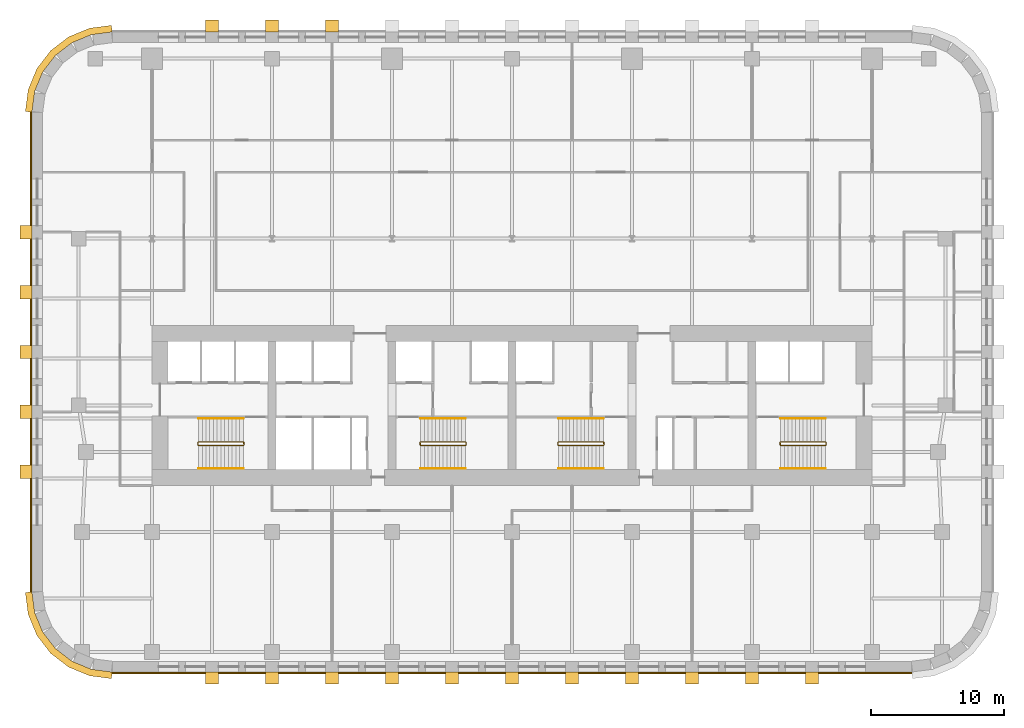
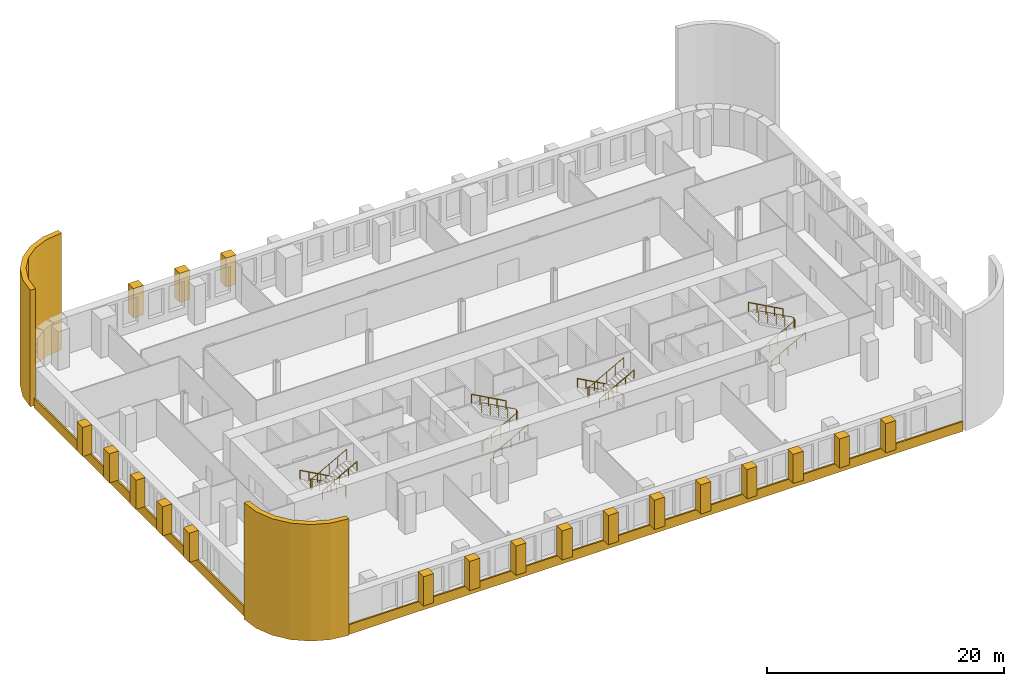
# One storey, part 11 of 12: 23 coverings, 12 railings.
"""IFC4 building model written with IfcOpenShell, lengths in metres."""

from ifc_helpers import new_model, si_unit, direction, frame, origin, origin_2d, place, context, subcontext, project, spatial, polyline, circle, outline, extrude, material, layer, layer_set, type_object, element, save


model = new_model("IFC4")

# Units and contexts
model_context = context("Model", 3, precision=1e-05, world=origin(), true_north=direction((0.0, 1.0)))
body_context = subcontext(model_context, "Body", "Model", "MODEL_VIEW")
ifc_project = project(units=[si_unit("LENGTHUNIT", "METRE"), si_unit("AREAUNIT", "SQUARE_METRE"), si_unit("VOLUMEUNIT", "CUBIC_METRE"), si_unit("PLANEANGLEUNIT", "RADIAN"), si_unit("MASSUNIT", "GRAM", prefix="KILO")], contexts=[model_context])

# Site, building, storey
site_placement = place(None, origin())
site = spatial("IfcSite", under=ifc_project, at=site_placement, CompositionType="ELEMENT")
building_placement = place(site_placement, origin())
building = spatial("IfcBuilding", under=site, at=building_placement, Name="Zellij Exchange Tower", CompositionType="ELEMENT")
storey_placement = place(building_placement, frame((0.0, 0.0, 88.5)))
storey = spatial("IfcBuildingStorey", under=building, at=storey_placement, Name="L18", CompositionType="ELEMENT", Elevation=88.5)

# Railings
ifc_material_1 = material(Name="Stainless steel", Category="steel")
railing_type_1 = type_object("IfcRailingType", Name="CORE-RG stair guard", PredefinedType="GUARDRAIL", material=ifc_material_1)
railing_1_placement = place(storey_placement, frame((-20.10009765625, -10.800048828125, 0.0)))
element("IfcRailing", 1, at=railing_1_placement, inside=storey, type_object=railing_type_1, Name="ST1 stair guard L18", PredefinedType="GUARDRAIL", context=body_context, shape_type="SweptSolid", body=[
    extrude(circle(Radius=0.02392578125, at=origin_2d()), frame((0.0, 0.0, 1.076171875), z_axis=(0.0, -1.0, 0.0), x_axis=(1.0, 0.0, 0.0)), (0.0, 0.0, 1.0), 0.14990234375),
    extrude(circle(Radius=0.02392578125, at=origin_2d()), frame((0.0, -0.14990234375, 1.076171875), z_axis=(-0.193691321961, 0.777613689637, 0.598164376644), x_axis=(-0.970351222016, -0.241699205484, 0.0)), (0.0, 0.0, 1.0), 0.257080078125),
    extrude(circle(Radius=0.02392578125, at=origin_2d()), frame((-0.0498046875, 0.050048828125, 1.22998046875), z_axis=(-0.876421534553, 0.0, 0.481544695509), x_axis=(0.0, -1.0, 0.0)), (0.0, 0.0, 1.0), 3.833984375),
    extrude(circle(Radius=0.02392578125, at=origin_2d()), frame((-3.409912109375, 0.050048828125, 3.076171875), z_axis=(-0.707106781187, -0.707106781187, 0.0), x_axis=(0.707106781187, -0.707106781187, 0.0)), (0.0, 0.0, 1.0), 0.07080078125),
    extrude(circle(Radius=0.02392578125, at=origin_2d()), frame((-3.4599609375, 0.0, 3.076171875), z_axis=(0.0, -1.0, 0.0), x_axis=(1.0, 0.0, 0.0)), (0.0, 0.0, 1.0), 0.14990234375),
    extrude(circle(Radius=0.02392578125, at=origin_2d()), frame((-3.4599609375, -0.14990234375, 3.076171875), z_axis=(0.295599637079, -0.295599637079, 0.908428152975), x_axis=(0.707106781187, 0.707106781187, 0.0)), (0.0, 0.0, 1.0), 0.16943359375),
    extrude(circle(Radius=0.02392578125, at=origin_2d()), frame((-3.409912109375, -0.199951171875, 3.22998046875), z_axis=(0.876421534553, 0.0, 0.481544695509), x_axis=(0.0, 1.0, 0.0)), (0.0, 0.0, 1.0), 3.833984375),
    extrude(circle(Radius=0.02099609375, at=origin_2d()), origin(), (0.0, 0.0, 1.0), 1.052001953125),
    extrude(circle(Radius=0.02099609375, at=origin_2d()), frame((0.0, -0.14990234375, 0.0)), (0.0, 0.0, 1.0), 1.052001953125),
    extrude(circle(Radius=0.02099609375, at=origin_2d()), frame((-0.0498046875, 0.050048828125, 0.15380859375)), (0.0, 0.0, 1.0), 1.052001953125),
    extrude(circle(Radius=0.02099609375, at=origin_2d()), frame((-0.889892578125, 0.050048828125, 0.615234375)), (0.0, 0.0, 1.0), 1.052001953125),
    extrude(circle(Radius=0.02099609375, at=origin_2d()), frame((-1.72998046875, 0.050048828125, 1.076904296875)), (0.0, 0.0, 1.0), 1.052001953125),
    extrude(circle(Radius=0.02099609375, at=origin_2d()), frame((-2.56982421875, 0.050048828125, 1.53857421875)), (0.0, 0.0, 1.0), 1.052001953125),
    extrude(circle(Radius=0.02099609375, at=origin_2d()), frame((-3.409912109375, 0.050048828125, 2.0)), (0.0, 0.0, 1.0), 1.052001953125),
    extrude(circle(Radius=0.02099609375, at=origin_2d()), frame((-3.4599609375, 0.0, 2.0)), (0.0, 0.0, 1.0), 1.052001953125),
    extrude(circle(Radius=0.02099609375, at=origin_2d()), frame((-3.4599609375, -0.14990234375, 2.0)), (0.0, 0.0, 1.0), 1.052001953125),
    extrude(circle(Radius=0.02099609375, at=origin_2d()), frame((-3.409912109375, -0.199951171875, 2.15380859375)), (0.0, 0.0, 1.0), 1.052001953125),
    extrude(circle(Radius=0.02099609375, at=origin_2d()), frame((-2.56982421875, -0.199951171875, 2.615234375)), (0.0, 0.0, 1.0), 1.052001953125),
    extrude(circle(Radius=0.02099609375, at=origin_2d()), frame((-1.72998046875, -0.199951171875, 3.076904296875)), (0.0, 0.0, 1.0), 1.052001953125),
    extrude(circle(Radius=0.02099609375, at=origin_2d()), frame((-0.889892578125, -0.199951171875, 3.53857421875)), (0.0, 0.0, 1.0), 1.052001953125),
    extrude(circle(Radius=0.02099609375, at=origin_2d()), frame((-0.0498046875, -0.199951171875, 4.0)), (0.0, 0.0, 1.0), 1.052001953125),
])
railing_2_placement = place(storey_placement, frame((-6.89990234375, -10.949951171875, 0.0)))
element("IfcRailing", 2, at=railing_2_placement, inside=storey, type_object=railing_type_1, Name="ST2 stair guard L18", PredefinedType="GUARDRAIL", context=body_context, shape_type="SweptSolid", body=[
    extrude(circle(Radius=0.02392578125, at=origin_2d()), frame((0.0, 0.0, 1.076171875), z_axis=(0.0, 1.0, 0.0), x_axis=(-1.0, 0.0, 0.0)), (0.0, 0.0, 1.0), 0.14990234375),
    extrude(circle(Radius=0.02392578125, at=origin_2d()), frame((0.0, 0.14990234375, 1.076171875), z_axis=(0.193691321961, -0.777613689637, 0.598164376644), x_axis=(0.970351222016, 0.241699205484, 0.0)), (0.0, 0.0, 1.0), 0.257080078125),
    extrude(circle(Radius=0.02392578125, at=origin_2d()), frame((0.0498046875, -0.050048828125, 1.22998046875), z_axis=(0.876421534553, 0.0, 0.481544695509), x_axis=(0.0, 1.0, 0.0)), (0.0, 0.0, 1.0), 3.833984375),
    extrude(circle(Radius=0.02392578125, at=origin_2d()), frame((3.409912109375, -0.050048828125, 3.076171875), z_axis=(0.707106781187, 0.707106781187, 0.0), x_axis=(-0.707106781187, 0.707106781187, 0.0)), (0.0, 0.0, 1.0), 0.07080078125),
    extrude(circle(Radius=0.02392578125, at=origin_2d()), frame((3.4599609375, 0.0, 3.076171875), z_axis=(0.0, 1.0, 0.0), x_axis=(-1.0, 0.0, 0.0)), (0.0, 0.0, 1.0), 0.14990234375),
    extrude(circle(Radius=0.02392578125, at=origin_2d()), frame((3.4599609375, 0.14990234375, 3.076171875), z_axis=(-0.295599637079, 0.295599637079, 0.908428152975), x_axis=(-0.707106781187, -0.707106781187, 0.0)), (0.0, 0.0, 1.0), 0.16943359375),
    extrude(circle(Radius=0.02392578125, at=origin_2d()), frame((3.409912109375, 0.199951171875, 3.22998046875), z_axis=(-0.876421534553, 0.0, 0.481544695509), x_axis=(0.0, -1.0, 0.0)), (0.0, 0.0, 1.0), 3.833984375),
    extrude(circle(Radius=0.02099609375, at=origin_2d()), origin(), (0.0, 0.0, 1.0), 1.052001953125),
    extrude(circle(Radius=0.02099609375, at=origin_2d()), frame((0.0, 0.14990234375, 0.0)), (0.0, 0.0, 1.0), 1.052001953125),
    extrude(circle(Radius=0.02099609375, at=origin_2d()), frame((0.0498046875, -0.050048828125, 0.15380859375)), (0.0, 0.0, 1.0), 1.052001953125),
    extrude(circle(Radius=0.02099609375, at=origin_2d()), frame((0.889892578125, -0.050048828125, 0.615234375)), (0.0, 0.0, 1.0), 1.052001953125),
    extrude(circle(Radius=0.02099609375, at=origin_2d()), frame((1.72998046875, -0.050048828125, 1.076904296875)), (0.0, 0.0, 1.0), 1.052001953125),
    extrude(circle(Radius=0.02099609375, at=origin_2d()), frame((2.56982421875, -0.050048828125, 1.53857421875)), (0.0, 0.0, 1.0), 1.052001953125),
    extrude(circle(Radius=0.02099609375, at=origin_2d()), frame((3.409912109375, -0.050048828125, 2.0)), (0.0, 0.0, 1.0), 1.052001953125),
    extrude(circle(Radius=0.02099609375, at=origin_2d()), frame((3.4599609375, 0.0, 2.0)), (0.0, 0.0, 1.0), 1.052001953125),
    extrude(circle(Radius=0.02099609375, at=origin_2d()), frame((3.4599609375, 0.14990234375, 2.0)), (0.0, 0.0, 1.0), 1.052001953125),
    extrude(circle(Radius=0.02099609375, at=origin_2d()), frame((3.409912109375, 0.199951171875, 2.15380859375)), (0.0, 0.0, 1.0), 1.052001953125),
    extrude(circle(Radius=0.02099609375, at=origin_2d()), frame((2.56982421875, 0.199951171875, 2.615234375)), (0.0, 0.0, 1.0), 1.052001953125),
    extrude(circle(Radius=0.02099609375, at=origin_2d()), frame((1.72998046875, 0.199951171875, 3.076904296875)), (0.0, 0.0, 1.0), 1.052001953125),
    extrude(circle(Radius=0.02099609375, at=origin_2d()), frame((0.889892578125, 0.199951171875, 3.53857421875)), (0.0, 0.0, 1.0), 1.052001953125),
    extrude(circle(Radius=0.02099609375, at=origin_2d()), frame((0.0498046875, 0.199951171875, 4.0)), (0.0, 0.0, 1.0), 1.052001953125),
])
railing_3_placement = place(storey_placement, frame((6.89990234375, -10.800048828125, 0.0)))
element("IfcRailing", 3, at=railing_3_placement, inside=storey, type_object=railing_type_1, Name="ST3 stair guard L18", PredefinedType="GUARDRAIL", context=body_context, shape_type="SweptSolid", body=[
    extrude(circle(Radius=0.02392578125, at=origin_2d()), frame((0.0, 0.0, 1.076171875), z_axis=(0.0, -1.0, 0.0), x_axis=(1.0, 0.0, 0.0)), (0.0, 0.0, 1.0), 0.14990234375),
    extrude(circle(Radius=0.02392578125, at=origin_2d()), frame((0.0, -0.14990234375, 1.076171875), z_axis=(-0.193691321961, 0.777613689637, 0.598164376644), x_axis=(-0.970351222016, -0.241699205484, 0.0)), (0.0, 0.0, 1.0), 0.257080078125),
    extrude(circle(Radius=0.02392578125, at=origin_2d()), frame((-0.0498046875, 0.050048828125, 1.22998046875), z_axis=(-0.876421534553, 0.0, 0.481544695509), x_axis=(0.0, -1.0, 0.0)), (0.0, 0.0, 1.0), 3.833984375),
    extrude(circle(Radius=0.02392578125, at=origin_2d()), frame((-3.409912109375, 0.050048828125, 3.076171875), z_axis=(-0.707106781187, -0.707106781187, 0.0), x_axis=(0.707106781187, -0.707106781187, 0.0)), (0.0, 0.0, 1.0), 0.07080078125),
    extrude(circle(Radius=0.02392578125, at=origin_2d()), frame((-3.4599609375, 0.0, 3.076171875), z_axis=(0.0, -1.0, 0.0), x_axis=(1.0, 0.0, 0.0)), (0.0, 0.0, 1.0), 0.14990234375),
    extrude(circle(Radius=0.02392578125, at=origin_2d()), frame((-3.4599609375, -0.14990234375, 3.076171875), z_axis=(0.295599637079, -0.295599637079, 0.908428152975), x_axis=(0.707106781187, 0.707106781187, 0.0)), (0.0, 0.0, 1.0), 0.16943359375),
    extrude(circle(Radius=0.02392578125, at=origin_2d()), frame((-3.409912109375, -0.199951171875, 3.22998046875), z_axis=(0.876421534553, 0.0, 0.481544695509), x_axis=(0.0, 1.0, 0.0)), (0.0, 0.0, 1.0), 3.833984375),
    extrude(circle(Radius=0.02099609375, at=origin_2d()), origin(), (0.0, 0.0, 1.0), 1.052001953125),
    extrude(circle(Radius=0.02099609375, at=origin_2d()), frame((0.0, -0.14990234375, 0.0)), (0.0, 0.0, 1.0), 1.052001953125),
    extrude(circle(Radius=0.02099609375, at=origin_2d()), frame((-0.0498046875, 0.050048828125, 0.15380859375)), (0.0, 0.0, 1.0), 1.052001953125),
    extrude(circle(Radius=0.02099609375, at=origin_2d()), frame((-0.889892578125, 0.050048828125, 0.615234375)), (0.0, 0.0, 1.0), 1.052001953125),
    extrude(circle(Radius=0.02099609375, at=origin_2d()), frame((-1.72998046875, 0.050048828125, 1.076904296875)), (0.0, 0.0, 1.0), 1.052001953125),
    extrude(circle(Radius=0.02099609375, at=origin_2d()), frame((-2.56982421875, 0.050048828125, 1.53857421875)), (0.0, 0.0, 1.0), 1.052001953125),
    extrude(circle(Radius=0.02099609375, at=origin_2d()), frame((-3.409912109375, 0.050048828125, 2.0)), (0.0, 0.0, 1.0), 1.052001953125),
    extrude(circle(Radius=0.02099609375, at=origin_2d()), frame((-3.4599609375, 0.0, 2.0)), (0.0, 0.0, 1.0), 1.052001953125),
    extrude(circle(Radius=0.02099609375, at=origin_2d()), frame((-3.4599609375, -0.14990234375, 2.0)), (0.0, 0.0, 1.0), 1.052001953125),
    extrude(circle(Radius=0.02099609375, at=origin_2d()), frame((-3.409912109375, -0.199951171875, 2.15380859375)), (0.0, 0.0, 1.0), 1.052001953125),
    extrude(circle(Radius=0.02099609375, at=origin_2d()), frame((-2.56982421875, -0.199951171875, 2.615234375)), (0.0, 0.0, 1.0), 1.052001953125),
    extrude(circle(Radius=0.02099609375, at=origin_2d()), frame((-1.72998046875, -0.199951171875, 3.076904296875)), (0.0, 0.0, 1.0), 1.052001953125),
    extrude(circle(Radius=0.02099609375, at=origin_2d()), frame((-0.889892578125, -0.199951171875, 3.53857421875)), (0.0, 0.0, 1.0), 1.052001953125),
    extrude(circle(Radius=0.02099609375, at=origin_2d()), frame((-0.0498046875, -0.199951171875, 4.0)), (0.0, 0.0, 1.0), 1.052001953125),
])
railing_4_placement = place(storey_placement, frame((20.10009765625, -10.949951171875, 0.0)))
element("IfcRailing", 4, at=railing_4_placement, inside=storey, type_object=railing_type_1, Name="ST4 stair guard L18", PredefinedType="GUARDRAIL", context=body_context, shape_type="SweptSolid", body=[
    extrude(circle(Radius=0.02392578125, at=origin_2d()), frame((0.0, 0.0, 1.076171875), z_axis=(0.0, 1.0, 0.0), x_axis=(-1.0, 0.0, 0.0)), (0.0, 0.0, 1.0), 0.14990234375),
    extrude(circle(Radius=0.02392578125, at=origin_2d()), frame((0.0, 0.14990234375, 1.076171875), z_axis=(0.193691321961, -0.777613689637, 0.598164376644), x_axis=(0.970351222016, 0.241699205484, 0.0)), (0.0, 0.0, 1.0), 0.257080078125),
    extrude(circle(Radius=0.02392578125, at=origin_2d()), frame((0.0498046875, -0.050048828125, 1.22998046875), z_axis=(0.876421534553, 0.0, 0.481544695509), x_axis=(0.0, 1.0, 0.0)), (0.0, 0.0, 1.0), 3.833984375),
    extrude(circle(Radius=0.02392578125, at=origin_2d()), frame((3.409912109375, -0.050048828125, 3.076171875), z_axis=(0.707106781187, 0.707106781187, 0.0), x_axis=(-0.707106781187, 0.707106781187, 0.0)), (0.0, 0.0, 1.0), 0.07080078125),
    extrude(circle(Radius=0.02392578125, at=origin_2d()), frame((3.4599609375, 0.0, 3.076171875), z_axis=(0.0, 1.0, 0.0), x_axis=(-1.0, 0.0, 0.0)), (0.0, 0.0, 1.0), 0.14990234375),
    extrude(circle(Radius=0.02392578125, at=origin_2d()), frame((3.4599609375, 0.14990234375, 3.076171875), z_axis=(-0.295599637079, 0.295599637079, 0.908428152975), x_axis=(-0.707106781187, -0.707106781187, 0.0)), (0.0, 0.0, 1.0), 0.16943359375),
    extrude(circle(Radius=0.02392578125, at=origin_2d()), frame((3.409912109375, 0.199951171875, 3.22998046875), z_axis=(-0.876421534553, 0.0, 0.481544695509), x_axis=(0.0, -1.0, 0.0)), (0.0, 0.0, 1.0), 3.833984375),
    extrude(circle(Radius=0.02099609375, at=origin_2d()), origin(), (0.0, 0.0, 1.0), 1.052001953125),
    extrude(circle(Radius=0.02099609375, at=origin_2d()), frame((0.0, 0.14990234375, 0.0)), (0.0, 0.0, 1.0), 1.052001953125),
    extrude(circle(Radius=0.02099609375, at=origin_2d()), frame((0.0498046875, -0.050048828125, 0.15380859375)), (0.0, 0.0, 1.0), 1.052001953125),
    extrude(circle(Radius=0.02099609375, at=origin_2d()), frame((0.889892578125, -0.050048828125, 0.615234375)), (0.0, 0.0, 1.0), 1.052001953125),
    extrude(circle(Radius=0.02099609375, at=origin_2d()), frame((1.72998046875, -0.050048828125, 1.076904296875)), (0.0, 0.0, 1.0), 1.052001953125),
    extrude(circle(Radius=0.02099609375, at=origin_2d()), frame((2.56982421875, -0.050048828125, 1.53857421875)), (0.0, 0.0, 1.0), 1.052001953125),
    extrude(circle(Radius=0.02099609375, at=origin_2d()), frame((3.409912109375, -0.050048828125, 2.0)), (0.0, 0.0, 1.0), 1.052001953125),
    extrude(circle(Radius=0.02099609375, at=origin_2d()), frame((3.4599609375, 0.0, 2.0)), (0.0, 0.0, 1.0), 1.052001953125),
    extrude(circle(Radius=0.02099609375, at=origin_2d()), frame((3.4599609375, 0.14990234375, 2.0)), (0.0, 0.0, 1.0), 1.052001953125),
    extrude(circle(Radius=0.02099609375, at=origin_2d()), frame((3.409912109375, 0.199951171875, 2.15380859375)), (0.0, 0.0, 1.0), 1.052001953125),
    extrude(circle(Radius=0.02099609375, at=origin_2d()), frame((2.56982421875, 0.199951171875, 2.615234375)), (0.0, 0.0, 1.0), 1.052001953125),
    extrude(circle(Radius=0.02099609375, at=origin_2d()), frame((1.72998046875, 0.199951171875, 3.076904296875)), (0.0, 0.0, 1.0), 1.052001953125),
    extrude(circle(Radius=0.02099609375, at=origin_2d()), frame((0.889892578125, 0.199951171875, 3.53857421875)), (0.0, 0.0, 1.0), 1.052001953125),
    extrude(circle(Radius=0.02099609375, at=origin_2d()), frame((0.0498046875, 0.199951171875, 4.0)), (0.0, 0.0, 1.0), 1.052001953125),
])
railing_type_2 = type_object("IfcRailingType", Name="CORE-RH stair handrail", PredefinedType="HANDRAIL", material=ifc_material_1)
railing_5_placement = place(storey_placement, frame((-20.14990234375, -9.0, 0.15380859375)))
element("IfcRailing", 5, at=railing_5_placement, inside=storey, type_object=railing_type_2, Name="ST1 stair handrail L18", PredefinedType="HANDRAIL", context=body_context, shape_type="SweptSolid", body=[
    extrude(circle(Radius=0.02392578125, at=origin_2d()), frame((0.0, 0.0, 0.8759765625), z_axis=(-0.876421534553, 0.0, 0.481544695509), x_axis=(0.0, -1.0, 0.0)), (0.0, 0.0, 1.0), 3.833984375),
    extrude(circle(Radius=0.02099609375, at=origin_2d()), origin(), (0.0, 0.0, 1.0), 0.851806640625),
    extrude(circle(Radius=0.02099609375, at=origin_2d()), frame((-0.840087890625, 0.0, 0.46142578125)), (0.0, 0.0, 1.0), 0.851806640625),
    extrude(circle(Radius=0.02099609375, at=origin_2d()), frame((-1.68017578125, 0.0, 0.923095703125)), (0.0, 0.0, 1.0), 0.851806640625),
    extrude(circle(Radius=0.02099609375, at=origin_2d()), frame((-2.52001953125, 0.0, 1.384765625)), (0.0, 0.0, 1.0), 0.851806640625),
    extrude(circle(Radius=0.02099609375, at=origin_2d()), frame((-3.360107421875, 0.0, 1.84619140625)), (0.0, 0.0, 1.0), 0.851806640625),
])
for number, where, name in (
    (6, (-23.510009765625, -12.75, 2.15380859375), "ST1 stair handrail L18"),
    (7, (-6.85009765625, -12.75, 0.15380859375), "ST2 stair handrail L18"),
):
    element("IfcRailing", number, at=place(storey_placement, frame(where)), inside=storey, type_object=railing_type_2, Name=name, PredefinedType="HANDRAIL", context=body_context, shape_type="SweptSolid", body=[
        extrude(circle(Radius=0.02392578125, at=origin_2d()), frame((0.0, 0.0, 0.8759765625), z_axis=(0.876421534553, 0.0, 0.481544695509), x_axis=(0.0, 1.0, 0.0)), (0.0, 0.0, 1.0), 3.833984375),
        extrude(circle(Radius=0.02099609375, at=origin_2d()), origin(), (0.0, 0.0, 1.0), 0.851806640625),
        extrude(circle(Radius=0.02099609375, at=origin_2d()), frame((0.840087890625, 0.0, 0.46142578125)), (0.0, 0.0, 1.0), 0.851806640625),
        extrude(circle(Radius=0.02099609375, at=origin_2d()), frame((1.68017578125, 0.0, 0.923095703125)), (0.0, 0.0, 1.0), 0.851806640625),
        extrude(circle(Radius=0.02099609375, at=origin_2d()), frame((2.52001953125, 0.0, 1.384765625)), (0.0, 0.0, 1.0), 0.851806640625),
        extrude(circle(Radius=0.02099609375, at=origin_2d()), frame((3.360107421875, 0.0, 1.84619140625)), (0.0, 0.0, 1.0), 0.851806640625),
    ])
for number, where, name in (
    (8, (-3.489990234375, -9.0, 2.15380859375), "ST2 stair handrail L18"),
    (9, (6.85009765625, -9.0, 0.15380859375), "ST3 stair handrail L18"),
):
    element("IfcRailing", number, at=place(storey_placement, frame(where)), inside=storey, type_object=railing_type_2, Name=name, PredefinedType="HANDRAIL", context=body_context, shape_type="SweptSolid", body=[
        extrude(circle(Radius=0.02392578125, at=origin_2d()), frame((0.0, 0.0, 0.8759765625), z_axis=(-0.876421534553, 0.0, 0.481544695509), x_axis=(0.0, -1.0, 0.0)), (0.0, 0.0, 1.0), 3.833984375),
        extrude(circle(Radius=0.02099609375, at=origin_2d()), origin(), (0.0, 0.0, 1.0), 0.851806640625),
        extrude(circle(Radius=0.02099609375, at=origin_2d()), frame((-0.840087890625, 0.0, 0.46142578125)), (0.0, 0.0, 1.0), 0.851806640625),
        extrude(circle(Radius=0.02099609375, at=origin_2d()), frame((-1.68017578125, 0.0, 0.923095703125)), (0.0, 0.0, 1.0), 0.851806640625),
        extrude(circle(Radius=0.02099609375, at=origin_2d()), frame((-2.52001953125, 0.0, 1.384765625)), (0.0, 0.0, 1.0), 0.851806640625),
        extrude(circle(Radius=0.02099609375, at=origin_2d()), frame((-3.360107421875, 0.0, 1.84619140625)), (0.0, 0.0, 1.0), 0.851806640625),
    ])
for number, where, name in (
    (10, (3.489990234375, -12.75, 2.15380859375), "ST3 stair handrail L18"),
    (11, (20.14990234375, -12.75, 0.15380859375), "ST4 stair handrail L18"),
):
    element("IfcRailing", number, at=place(storey_placement, frame(where)), inside=storey, type_object=railing_type_2, Name=name, PredefinedType="HANDRAIL", context=body_context, shape_type="SweptSolid", body=[
        extrude(circle(Radius=0.02392578125, at=origin_2d()), frame((0.0, 0.0, 0.8759765625), z_axis=(0.876421534553, 0.0, 0.481544695509), x_axis=(0.0, 1.0, 0.0)), (0.0, 0.0, 1.0), 3.833984375),
        extrude(circle(Radius=0.02099609375, at=origin_2d()), origin(), (0.0, 0.0, 1.0), 0.851806640625),
        extrude(circle(Radius=0.02099609375, at=origin_2d()), frame((0.840087890625, 0.0, 0.46142578125)), (0.0, 0.0, 1.0), 0.851806640625),
        extrude(circle(Radius=0.02099609375, at=origin_2d()), frame((1.68017578125, 0.0, 0.923095703125)), (0.0, 0.0, 1.0), 0.851806640625),
        extrude(circle(Radius=0.02099609375, at=origin_2d()), frame((2.52001953125, 0.0, 1.384765625)), (0.0, 0.0, 1.0), 0.851806640625),
        extrude(circle(Radius=0.02099609375, at=origin_2d()), frame((3.360107421875, 0.0, 1.84619140625)), (0.0, 0.0, 1.0), 0.851806640625),
    ])
railing_6_placement = place(storey_placement, frame((23.510009765625, -9.0, 2.15380859375)))
element("IfcRailing", 12, at=railing_6_placement, inside=storey, type_object=railing_type_2, Name="ST4 stair handrail L18", PredefinedType="HANDRAIL", context=body_context, shape_type="SweptSolid", body=[
    extrude(circle(Radius=0.02392578125, at=origin_2d()), frame((0.0, 0.0, 0.8759765625), z_axis=(-0.876421534553, 0.0, 0.481544695509), x_axis=(0.0, -1.0, 0.0)), (0.0, 0.0, 1.0), 3.833984375),
    extrude(circle(Radius=0.02099609375, at=origin_2d()), origin(), (0.0, 0.0, 1.0), 0.851806640625),
    extrude(circle(Radius=0.02099609375, at=origin_2d()), frame((-0.840087890625, 0.0, 0.46142578125)), (0.0, 0.0, 1.0), 0.851806640625),
    extrude(circle(Radius=0.02099609375, at=origin_2d()), frame((-1.68017578125, 0.0, 0.923095703125)), (0.0, 0.0, 1.0), 0.851806640625),
    extrude(circle(Radius=0.02099609375, at=origin_2d()), frame((-2.52001953125, 0.0, 1.384765625)), (0.0, 0.0, 1.0), 0.851806640625),
    extrude(circle(Radius=0.02099609375, at=origin_2d()), frame((-3.360107421875, 0.0, 1.84619140625)), (0.0, 0.0, 1.0), 0.851806640625),
])

# Coverings
ifc_material_2 = material(Name="Limestone cladding", Category="masonry")
ifc_layer_1 = layer(ifc_material_2, 0.14990234375)
ifc_layer_set_1 = layer_set([ifc_layer_1], Name="Limestone cladding")
covering_type_1 = type_object("IfcCoveringType", Name="ENV-CV1 Stone spandrel band 150", PredefinedType="CLADDING", material=ifc_layer_set_1)
covering_1_placement = place(storey_placement, frame((0.0, 0.0, -0.199951171875)))
element("IfcCovering", 13, at=covering_1_placement, inside=storey, type_object=covering_type_1, Name="Stone spandrel band", PredefinedType="CLADDING", context=body_context, shape_type="SweptSolid", body=[
    extrude(outline(polyline([(-29.973876953125, -28.0), (29.973876953125, -28.0), (29.983642578125, -28.14990234375), (-29.983642578125, -28.14990234375), (-29.973876953125, -28.0)])), origin(), (0.0, 0.0, 1.0), 1.0),
])
covering_2_placement = place(storey_placement, frame((0.0, 0.0, -0.199951171875)))
element("IfcCovering", 14, at=covering_2_placement, inside=storey, type_object=covering_type_1, Name="Stone spandrel band", PredefinedType="CLADDING", context=body_context, shape_type="SweptSolid", body=[
    extrude(outline(polyline([(-36.0, 13.973876953125), (-36.0, -21.973876953125), (-36.14990234375, -21.983642578125), (-36.14990234375, 13.983642578125), (-36.0, 13.973876953125)])), origin(), (0.0, 0.0, 1.0), 1.0),
])
ifc_layer_2 = layer(ifc_material_2, 0.5)
ifc_layer_set_2 = layer_set([ifc_layer_2], Name="Limestone cladding")
covering_type_2 = type_object("IfcCoveringType", Name="ENV-CV12 Stone corner pier 500", PredefinedType="CLADDING", material=ifc_layer_set_2)
covering_3_placement = place(storey_placement, origin())
element("IfcCovering", 15, at=covering_3_placement, inside=storey, type_object=covering_type_2, Name="Stone corner pier", PredefinedType="CLADDING", context=body_context, shape_type="SweptSolid", body=[
    extrude(outline(polyline([(-30.0, 20.0), (-31.552978515625, 19.795654296875), (-33.0, 19.1962890625), (-34.24267578125, 18.24267578125), (-35.1962890625, 17.0), (-35.795654296875, 15.552978515625), (-36.0, 14.0), (-36.5, 14.03271484375), (-36.28271484375, 15.683349609375), (-35.6328125, 17.252197265625), (-34.59912109375, 18.59912109375), (-33.252197265625, 19.6328125), (-31.683349609375, 20.28271484375), (-30.03271484375, 20.5), (-30.0, 20.0)])), origin(), (0.0, 0.0, 1.0), 12.0),
])
covering_4_placement = place(storey_placement, origin())
element("IfcCovering", 16, at=covering_4_placement, inside=storey, type_object=covering_type_2, Name="Stone corner pier", PredefinedType="CLADDING", context=body_context, shape_type="SweptSolid", body=[
    extrude(outline(polyline([(-36.0, -22.0), (-35.795654296875, -23.552978515625), (-35.1962890625, -25.0), (-34.24267578125, -26.24267578125), (-33.0, -27.1962890625), (-31.552978515625, -27.795654296875), (-30.0, -28.0), (-30.03271484375, -28.5), (-31.683349609375, -28.28271484375), (-33.252197265625, -27.6328125), (-34.59912109375, -26.59912109375), (-35.6328125, -25.252197265625), (-36.28271484375, -23.683349609375), (-36.5, -22.03271484375), (-36.0, -22.0)])), origin(), (0.0, 0.0, 1.0), 12.0),
])
covering_type_3 = type_object("IfcCoveringType", Name="ENV-CV2 Stone pier 1000x900", PredefinedType="CLADDING", material=ifc_material_2)
covering_5_placement = place(storey_placement, frame((0.0, 0.0, 0.800048828125)))
element("IfcCovering", 17, at=covering_5_placement, inside=storey, type_object=covering_type_3, Name="Stone pier", PredefinedType="CLADDING", context=body_context, shape_type="SweptSolid", body=[
    extrude(outline(polyline([(-23.0, -28.0), (-22.0, -28.0), (-22.0, -28.89990234375), (-23.0, -28.89990234375), (-23.0, -28.0)])), origin(), (0.0, 0.0, 1.0), 3.0),
])
covering_6_placement = place(storey_placement, frame((0.0, 0.0, 0.800048828125)))
element("IfcCovering", 18, at=covering_6_placement, inside=storey, type_object=covering_type_3, Name="Stone pier", PredefinedType="CLADDING", context=body_context, shape_type="SweptSolid", body=[
    extrude(outline(polyline([(-18.5, -28.0), (-17.5, -28.0), (-17.5, -28.89990234375), (-18.5, -28.89990234375), (-18.5, -28.0)])), origin(), (0.0, 0.0, 1.0), 3.0),
])
covering_7_placement = place(storey_placement, frame((0.0, 0.0, 0.800048828125)))
element("IfcCovering", 19, at=covering_7_placement, inside=storey, type_object=covering_type_3, Name="Stone pier", PredefinedType="CLADDING", context=body_context, shape_type="SweptSolid", body=[
    extrude(outline(polyline([(-14.0, -28.0), (-13.0, -28.0), (-13.0, -28.89990234375), (-14.0, -28.89990234375), (-14.0, -28.0)])), origin(), (0.0, 0.0, 1.0), 3.0),
])
covering_8_placement = place(storey_placement, frame((0.0, 0.0, 0.800048828125)))
element("IfcCovering", 20, at=covering_8_placement, inside=storey, type_object=covering_type_3, Name="Stone pier", PredefinedType="CLADDING", context=body_context, shape_type="SweptSolid", body=[
    extrude(outline(polyline([(-9.5, -28.0), (-8.5, -28.0), (-8.5, -28.89990234375), (-9.5, -28.89990234375), (-9.5, -28.0)])), origin(), (0.0, 0.0, 1.0), 3.0),
])
covering_9_placement = place(storey_placement, frame((0.0, 0.0, 0.800048828125)))
element("IfcCovering", 21, at=covering_9_placement, inside=storey, type_object=covering_type_3, Name="Stone pier", PredefinedType="CLADDING", context=body_context, shape_type="SweptSolid", body=[
    extrude(outline(polyline([(-5.0, -28.0), (-4.0, -28.0), (-4.0, -28.89990234375), (-5.0, -28.89990234375), (-5.0, -28.0)])), origin(), (0.0, 0.0, 1.0), 3.0),
])
covering_10_placement = place(storey_placement, frame((0.0, 0.0, 0.800048828125)))
element("IfcCovering", 22, at=covering_10_placement, inside=storey, type_object=covering_type_3, Name="Stone pier", PredefinedType="CLADDING", context=body_context, shape_type="SweptSolid", body=[
    extrude(outline(polyline([(-0.5, -28.0), (0.5, -28.0), (0.5, -28.89990234375), (-0.5, -28.89990234375), (-0.5, -28.0)])), origin(), (0.0, 0.0, 1.0), 3.0),
])
covering_11_placement = place(storey_placement, frame((0.0, 0.0, 0.800048828125)))
element("IfcCovering", 23, at=covering_11_placement, inside=storey, type_object=covering_type_3, Name="Stone pier", PredefinedType="CLADDING", context=body_context, shape_type="SweptSolid", body=[
    extrude(outline(polyline([(4.0, -28.0), (5.0, -28.0), (5.0, -28.89990234375), (4.0, -28.89990234375), (4.0, -28.0)])), origin(), (0.0, 0.0, 1.0), 3.0),
])
covering_12_placement = place(storey_placement, frame((0.0, 0.0, 0.800048828125)))
element("IfcCovering", 24, at=covering_12_placement, inside=storey, type_object=covering_type_3, Name="Stone pier", PredefinedType="CLADDING", context=body_context, shape_type="SweptSolid", body=[
    extrude(outline(polyline([(8.5, -28.0), (9.5, -28.0), (9.5, -28.89990234375), (8.5, -28.89990234375), (8.5, -28.0)])), origin(), (0.0, 0.0, 1.0), 3.0),
])
covering_13_placement = place(storey_placement, frame((0.0, 0.0, 0.800048828125)))
element("IfcCovering", 25, at=covering_13_placement, inside=storey, type_object=covering_type_3, Name="Stone pier", PredefinedType="CLADDING", context=body_context, shape_type="SweptSolid", body=[
    extrude(outline(polyline([(13.0, -28.0), (14.0, -28.0), (14.0, -28.89990234375), (13.0, -28.89990234375), (13.0, -28.0)])), origin(), (0.0, 0.0, 1.0), 3.0),
])
covering_14_placement = place(storey_placement, frame((0.0, 0.0, 0.800048828125)))
element("IfcCovering", 26, at=covering_14_placement, inside=storey, type_object=covering_type_3, Name="Stone pier", PredefinedType="CLADDING", context=body_context, shape_type="SweptSolid", body=[
    extrude(outline(polyline([(17.5, -28.0), (18.5, -28.0), (18.5, -28.89990234375), (17.5, -28.89990234375), (17.5, -28.0)])), origin(), (0.0, 0.0, 1.0), 3.0),
])
covering_15_placement = place(storey_placement, frame((0.0, 0.0, 0.800048828125)))
element("IfcCovering", 27, at=covering_15_placement, inside=storey, type_object=covering_type_3, Name="Stone pier", PredefinedType="CLADDING", context=body_context, shape_type="SweptSolid", body=[
    extrude(outline(polyline([(22.0, -28.0), (23.0, -28.0), (23.0, -28.89990234375), (22.0, -28.89990234375), (22.0, -28.0)])), origin(), (0.0, 0.0, 1.0), 3.0),
])
covering_16_placement = place(storey_placement, frame((0.0, 0.0, 0.800048828125)))
element("IfcCovering", 28, at=covering_16_placement, inside=storey, type_object=covering_type_3, Name="Stone pier", PredefinedType="CLADDING", context=body_context, shape_type="SweptSolid", body=[
    extrude(outline(polyline([(-13.0, 20.0), (-14.0, 20.0), (-14.0, 20.89990234375), (-13.0, 20.89990234375), (-13.0, 20.0)])), origin(), (0.0, 0.0, 1.0), 3.0),
])
covering_17_placement = place(storey_placement, frame((0.0, 0.0, 0.800048828125)))
element("IfcCovering", 29, at=covering_17_placement, inside=storey, type_object=covering_type_3, Name="Stone pier", PredefinedType="CLADDING", context=body_context, shape_type="SweptSolid", body=[
    extrude(outline(polyline([(-17.5, 20.0), (-18.5, 20.0), (-18.5, 20.89990234375), (-17.5, 20.89990234375), (-17.5, 20.0)])), origin(), (0.0, 0.0, 1.0), 3.0),
])
covering_18_placement = place(storey_placement, frame((0.0, 0.0, 0.800048828125)))
element("IfcCovering", 30, at=covering_18_placement, inside=storey, type_object=covering_type_3, Name="Stone pier", PredefinedType="CLADDING", context=body_context, shape_type="SweptSolid", body=[
    extrude(outline(polyline([(-22.0, 20.0), (-23.0, 20.0), (-23.0, 20.89990234375), (-22.0, 20.89990234375), (-22.0, 20.0)])), origin(), (0.0, 0.0, 1.0), 3.0),
])
covering_19_placement = place(storey_placement, frame((0.0, 0.0, 0.800048828125)))
element("IfcCovering", 31, at=covering_19_placement, inside=storey, type_object=covering_type_3, Name="Stone pier", PredefinedType="CLADDING", context=body_context, shape_type="SweptSolid", body=[
    extrude(outline(polyline([(-36.0, 5.48681640625), (-36.0, 4.48681640625), (-36.89990234375, 4.48681640625), (-36.89990234375, 5.48681640625), (-36.0, 5.48681640625)])), origin(), (0.0, 0.0, 1.0), 3.0),
])
covering_20_placement = place(storey_placement, frame((0.0, 0.0, 0.800048828125)))
element("IfcCovering", 32, at=covering_20_placement, inside=storey, type_object=covering_type_3, Name="Stone pier", PredefinedType="CLADDING", context=body_context, shape_type="SweptSolid", body=[
    extrude(outline(polyline([(-36.0, 0.993408203125), (-36.0, -0.006591796875), (-36.89990234375, -0.006591796875), (-36.89990234375, 0.993408203125), (-36.0, 0.993408203125)])), origin(), (0.0, 0.0, 1.0), 3.0),
])
covering_21_placement = place(storey_placement, frame((0.0, 0.0, 0.800048828125)))
element("IfcCovering", 33, at=covering_21_placement, inside=storey, type_object=covering_type_3, Name="Stone pier", PredefinedType="CLADDING", context=body_context, shape_type="SweptSolid", body=[
    extrude(outline(polyline([(-36.0, -3.5), (-36.0, -4.5), (-36.89990234375, -4.5), (-36.89990234375, -3.5), (-36.0, -3.5)])), origin(), (0.0, 0.0, 1.0), 3.0),
])
covering_22_placement = place(storey_placement, frame((0.0, 0.0, 0.800048828125)))
element("IfcCovering", 34, at=covering_22_placement, inside=storey, type_object=covering_type_3, Name="Stone pier", PredefinedType="CLADDING", context=body_context, shape_type="SweptSolid", body=[
    extrude(outline(polyline([(-36.0, -7.993408203125), (-36.0, -8.993408203125), (-36.89990234375, -8.993408203125), (-36.89990234375, -7.993408203125), (-36.0, -7.993408203125)])), origin(), (0.0, 0.0, 1.0), 3.0),
])
covering_23_placement = place(storey_placement, frame((0.0, 0.0, 0.800048828125)))
element("IfcCovering", 35, at=covering_23_placement, inside=storey, type_object=covering_type_3, Name="Stone pier", PredefinedType="CLADDING", context=body_context, shape_type="SweptSolid", body=[
    extrude(outline(polyline([(-36.0, -12.48681640625), (-36.0, -13.48681640625), (-36.89990234375, -13.48681640625), (-36.89990234375, -12.48681640625), (-36.0, -12.48681640625)])), origin(), (0.0, 0.0, 1.0), 3.0),
])

save(model, "model.ifc")
